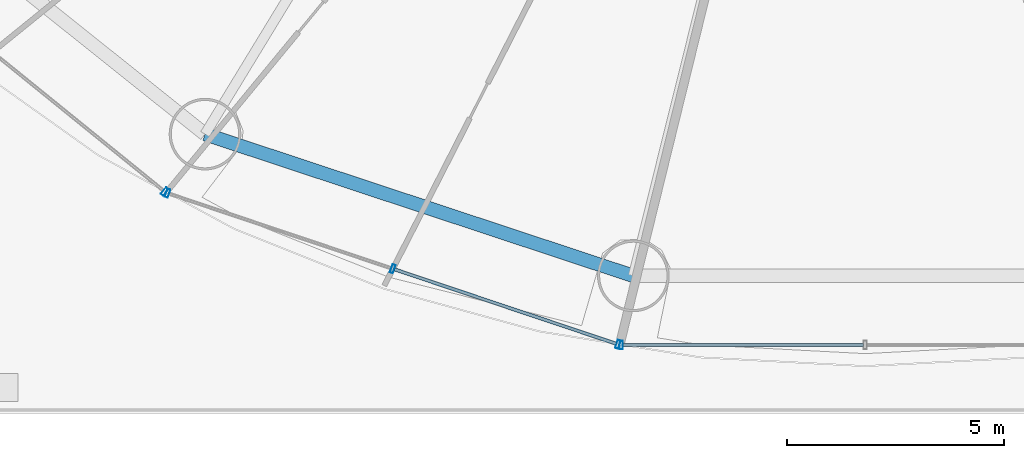
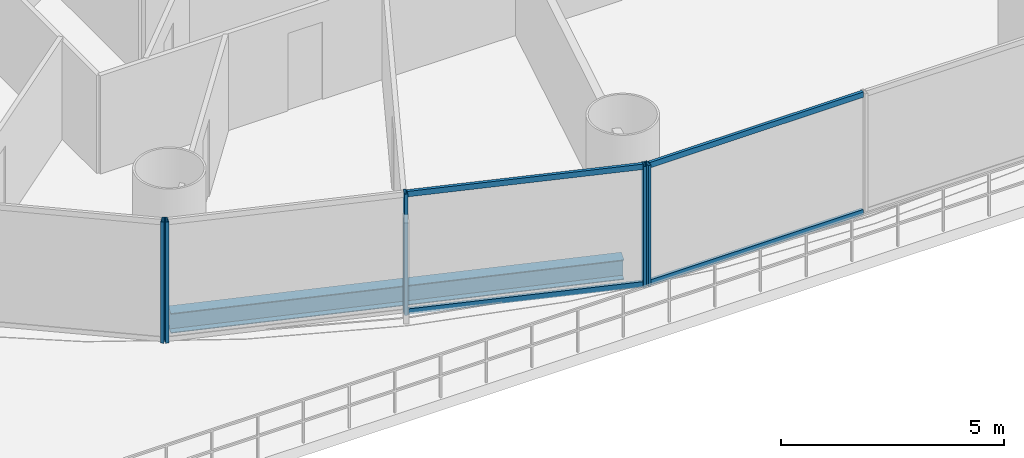
# One storey, part 5 of 37: 9 members, 1 beam, 3 elements without a shape of their own.
"""IFC4 building model written with IfcOpenShell, lengths in metres."""

from ifc_helpers import new_model, si_unit, direction, frame, origin, origin_2d, place, context, subcontext, project, spatial, hollow_rectangle, i_section, extrude, source, transform, mapped, material, material_profile, profile_set, type_object, element, aggregate, save


model = new_model("IFC4")

# Units and contexts
model_context = context("Model", 3, precision=1e-05, world=origin(), true_north=direction((-0.2419218956, 0.970295726276)))
body_context = subcontext(model_context, "Body", "Model", "MODEL_VIEW")
ifc_project = project(units=[si_unit("LENGTHUNIT", "METRE"), si_unit("AREAUNIT", "SQUARE_METRE"), si_unit("VOLUMEUNIT", "CUBIC_METRE"), si_unit("PLANEANGLEUNIT", "RADIAN"), si_unit("MASSUNIT", "GRAM", prefix="KILO")], contexts=[model_context])

# Site, building, storey
site_placement = place(None, origin())
site = spatial("IfcSite", under=ifc_project, at=site_placement, CompositionType="ELEMENT")
building_placement = place(site_placement, origin())
building = spatial("IfcBuilding", under=site, at=building_placement, Name="Cobrevalo Terracotta Tower", CompositionType="ELEMENT")
storey_placement = place(building_placement, frame((0.0, 0.0, 24.0)))
storey = spatial("IfcBuildingStorey", under=building, at=storey_placement, Name="L05", CompositionType="ELEMENT", Elevation=24.0)

# Beam
ifc_material_1 = material(Name="Steel S355", Category="steel")
ifc_material_profile_1 = material_profile(ifc_material_1, i_section(OverallWidth=0.31201171875, OverallDepth=0.54296875, WebThickness=0.0126953125, FlangeThickness=0.020263671875, at=origin_2d()), Name="W 530x150")
ifc_profile_set_1 = profile_set([ifc_material_profile_1], Name="Steel S355")
beam_type = type_object("IfcBeamType", Name="Structural Spandrel W 530x150 (Steel S355)", PredefinedType="SPANDREL", material=ifc_profile_set_1)
beam_placement = place(storey_placement, frame((22.80517578125, 8.63232421875, -0.551513671875), z_axis=(0.949372202648, -0.314153498848, 0.0), x_axis=(0.314153498848, 0.949372202648, 0.0)))
element("IfcBeam", 1, at=beam_placement, inside=storey, type_object=beam_type, Name="L05 perimeter ring spandrel 11", PredefinedType="SPANDREL", context=body_context, shape_type="SweptSolid", body=[
    extrude(i_section(OverallWidth=0.31201171875, OverallDepth=0.54296875, WebThickness=0.0126953125, FlangeThickness=0.020263671875, at=origin_2d()), origin(), (0.0, 0.0, 1.0), 10.385009765625),
])

# Curtain wall, member
ifc_material_2 = material(Name="Anodized aluminium", Category="aluminium")
curtain_wall_type = type_object("IfcCurtainWallType", Name="Lower-tower unitised acoustic low-E curtain wall CW-U1", PredefinedType="NOTDEFINED", material=ifc_material_2)
curtain_wall_1_placement = place(storey_placement, origin())
curtain_wall_1 = element("IfcCurtainWall", 2, at=curtain_wall_1_placement, inside=storey, type_object=curtain_wall_type, Name="L05 curtain wall CW-L05-S10", PredefinedType="NOTDEFINED")
ifc_material_profile_2 = material_profile(ifc_material_2, hollow_rectangle(XDim=0.074951171875, YDim=0.199951171875, WallThickness=0.0048828125, at=origin_2d()), Name="CWM 75x200")
ifc_profile_set_2 = profile_set([ifc_material_profile_2], Name="Anodized aluminium")
member_type_1 = type_object("IfcMemberType", Name="Lower/mid tower unitised mullion 75x200", PredefinedType="MULLION", material=ifc_profile_set_2)
shared_shape_1 = source(origin(), body_context, "Body", "SweptSolid", [
    extrude(hollow_rectangle(XDim=0.074951171875, YDim=0.199951171875, WallThickness=0.0048828125, at=origin_2d()), origin(), (0.0, 0.0, 1.0), 3.320068359375),
])
member_1_placement = place(storey_placement, frame((21.8740234375, 7.310546875, 0.0), z_axis=(0.0, 0.0, 1.0), x_axis=(0.777003153187, -0.629496703675, 0.0)))
member_1 = element("IfcMember", 3, at=member_1_placement, type_object=member_type_1, Name="CW-L05-S10 vertical mullion 03", PredefinedType="MULLION", context=body_context, shape_type="MappedRepresentation", body=[
    mapped(shared_shape_1, transform((0.0, 0.0, 0.0), scale=1.0)),
])
aggregate(curtain_wall_1, [member_1])

# Curtain wall, members
curtain_wall_2_placement = place(storey_placement, origin())
curtain_wall_2 = element("IfcCurtainWall", 4, at=curtain_wall_2_placement, inside=storey, type_object=curtain_wall_type, Name="L05 curtain wall CW-L05-S11", PredefinedType="NOTDEFINED")
member_2_placement = place(storey_placement, frame((21.943115234375, 7.272705078125, 0.0), z_axis=(0.0, 0.0, 1.0), x_axis=(0.948046393597, -0.318132103987, 0.0)))
member_2 = element("IfcMember", 5, at=member_2_placement, type_object=member_type_1, Name="CW-L05-S11 vertical mullion 01", PredefinedType="MULLION", context=body_context, shape_type="MappedRepresentation", body=[
    mapped(shared_shape_1, transform((0.0, 0.0, 0.0), scale=1.0)),
])
member_3_placement = place(storey_placement, frame((27.126708984375, 5.533203125, 0.0), z_axis=(0.0, 0.0, 1.0), x_axis=(0.948046393597, -0.318132103987, 0.0)))
member_3 = element("IfcMember", 6, at=member_3_placement, type_object=member_type_1, Name="CW-L05-S11 vertical mullion 02", PredefinedType="MULLION", context=body_context, shape_type="MappedRepresentation", body=[
    mapped(shared_shape_1, transform((0.0, 0.0, 0.0), scale=1.0)),
])
member_4_placement = place(storey_placement, frame((32.310302734375, 3.793701171875, 0.0), z_axis=(0.0, 0.0, 1.0), x_axis=(0.948046393597, -0.318132103987, 0.0)))
member_4 = element("IfcMember", 7, at=member_4_placement, type_object=member_type_1, Name="CW-L05-S11 vertical mullion 03", PredefinedType="MULLION", context=body_context, shape_type="MappedRepresentation", body=[
    mapped(shared_shape_1, transform((0.0, 0.0, 0.0), scale=1.0)),
])

# Curtain wall, member
curtain_wall_3_placement = place(storey_placement, origin())
curtain_wall_3 = element("IfcCurtainWall", 8, at=curtain_wall_3_placement, inside=storey, type_object=curtain_wall_type, Name="L05 curtain wall CW-L05-S12", PredefinedType="NOTDEFINED")
member_5_placement = place(storey_placement, frame((32.38818359375, 3.781005859375, 0.0), z_axis=(0.0, 0.0, 1.0), x_axis=(1.0, 0.0, 0.0)))
member_5 = element("IfcMember", 9, at=member_5_placement, type_object=member_type_1, Name="CW-L05-S12 vertical mullion 01", PredefinedType="MULLION", context=body_context, shape_type="MappedRepresentation", body=[
    mapped(shared_shape_1, transform((0.0, 0.0, 0.0), scale=1.0)),
])

# Member
ifc_material_profile_3 = material_profile(ifc_material_2, hollow_rectangle(XDim=0.074951171875, YDim=0.14990234375, WallThickness=0.00439453125, at=origin_2d()), Name="CWT 75x150")
ifc_profile_set_3 = profile_set([ifc_material_profile_3], Name="Anodized aluminium")
member_type_2 = type_object("IfcMemberType", Name="Tower unitised aluminium transom 75x150", PredefinedType="USERDEFINED", material=ifc_profile_set_3)
shared_shape_2 = source(origin(), body_context, "Body", "SweptSolid", [
    extrude(hollow_rectangle(XDim=0.074951171875, YDim=0.14990234375, WallThickness=0.00439453125, at=origin_2d()), origin(), (0.0, 0.0, 1.0), 5.387939453125),
])
member_6_placement = place(storey_placement, frame((27.16455078125, 5.5205078125, 0.050048828125), z_axis=(0.94804244582, -0.318143868278, 0.0), x_axis=(0.318143868278, 0.94804244582, 0.0)))
member_6 = element("IfcMember", 10, at=member_6_placement, type_object=member_type_2, Name="CW-L05-S11 transom B02-T1", ObjectType="TRANSOM", PredefinedType="USERDEFINED", context=body_context, shape_type="MappedRepresentation", body=[
    mapped(shared_shape_2, transform((0.0, 0.0, 0.0), scale=1.0)),
])

member_7_placement = place(storey_placement, frame((27.16455078125, 5.5205078125, 3.27001953125), z_axis=(0.94804244582, -0.318143868278, 0.0), x_axis=(0.318143868278, 0.94804244582, 0.0)))
member_7 = element("IfcMember", 11, at=member_7_placement, type_object=member_type_2, Name="CW-L05-S11 transom B02-T2", ObjectType="TRANSOM", PredefinedType="USERDEFINED", context=body_context, shape_type="MappedRepresentation", body=[
    mapped(shared_shape_2, transform((0.0, 0.0, 0.0), scale=1.0)),
])

aggregate(curtain_wall_2, [member_2, member_3, member_4, member_6, member_7])

shared_shape_3 = source(origin(), body_context, "Body", "SweptSolid", [
    extrude(hollow_rectangle(XDim=0.074951171875, YDim=0.14990234375, WallThickness=0.00439453125, at=origin_2d()), origin(), (0.0, 0.0, 1.0), 5.53173828125),
])
member_8_placement = place(storey_placement, frame((32.42822265625, 3.781005859375, 0.050048828125), z_axis=(1.0, 0.0, 0.0), x_axis=(0.0, 1.0, 0.0)))
member_8 = element("IfcMember", 12, at=member_8_placement, type_object=member_type_2, Name="CW-L05-S12 transom B01-T1", ObjectType="TRANSOM", PredefinedType="USERDEFINED", context=body_context, shape_type="MappedRepresentation", body=[
    mapped(shared_shape_3, transform((0.0, 0.0, 0.0), scale=1.0)),
])

member_9_placement = place(storey_placement, frame((32.42822265625, 3.781005859375, 3.27001953125), z_axis=(1.0, 0.0, 0.0), x_axis=(0.0, 1.0, 0.0)))
member_9 = element("IfcMember", 13, at=member_9_placement, type_object=member_type_2, Name="CW-L05-S12 transom B01-T2", ObjectType="TRANSOM", PredefinedType="USERDEFINED", context=body_context, shape_type="MappedRepresentation", body=[
    mapped(shared_shape_3, transform((0.0, 0.0, 0.0), scale=1.0)),
])

aggregate(curtain_wall_3, [member_5, member_8, member_9])

save(model, "model.ifc")
